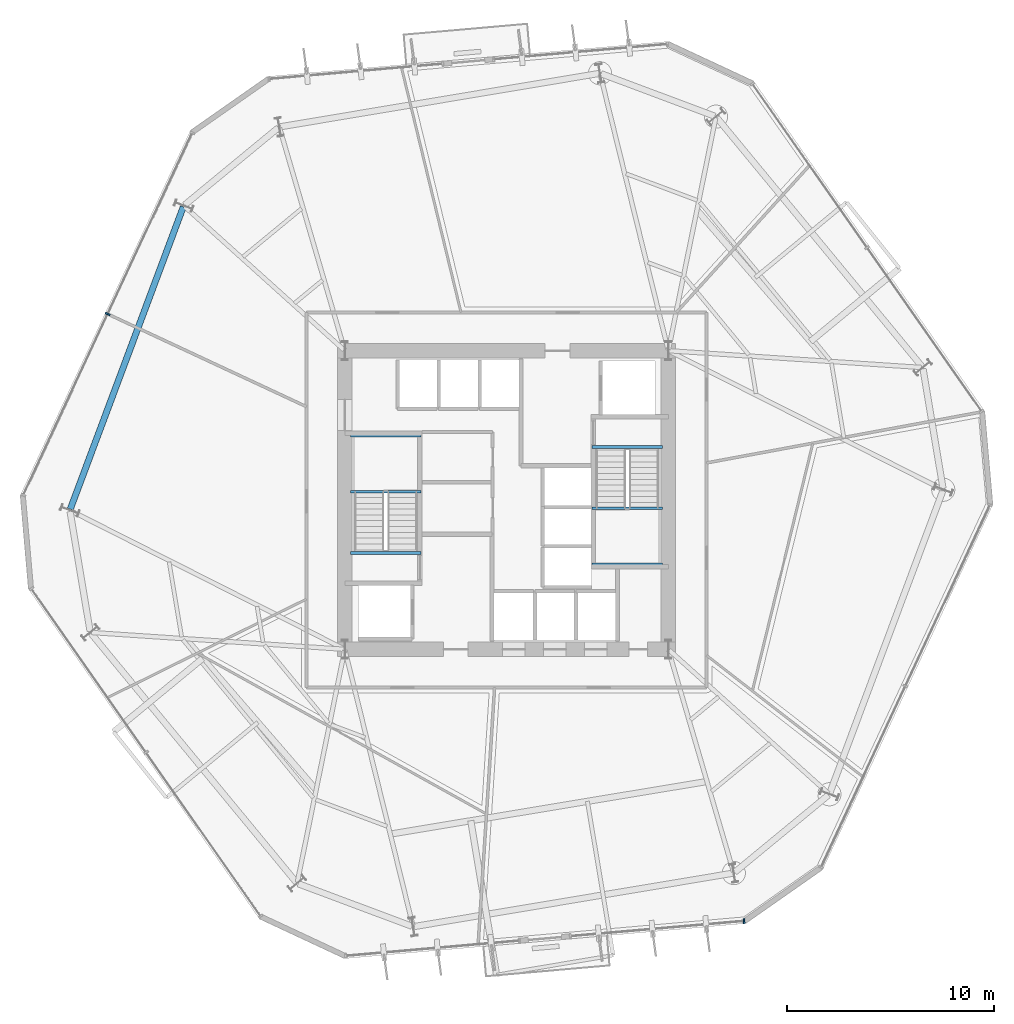
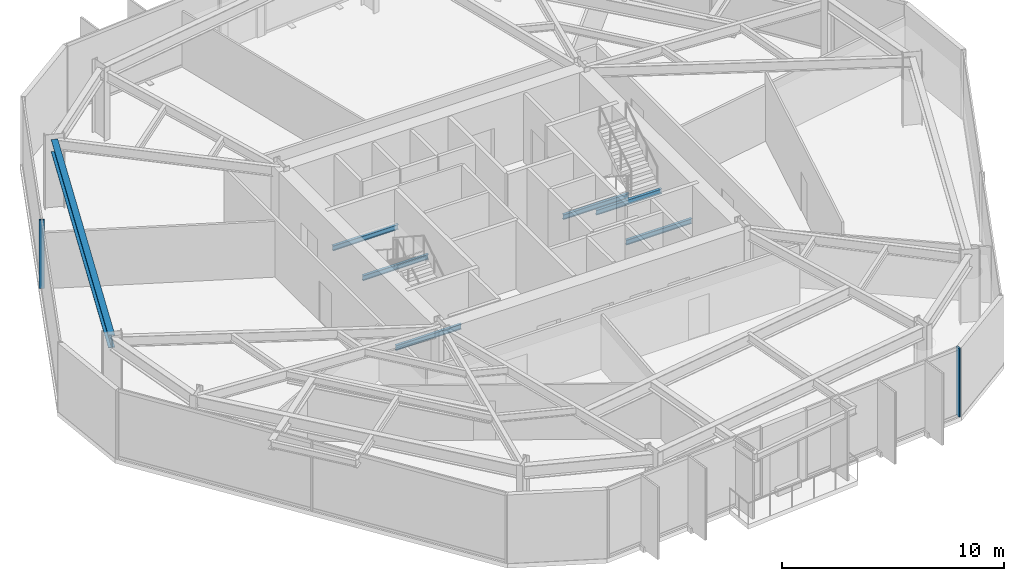
# One storey, part 3 of 11: 7 beams, 2 members, 2 elements without a shape of their own.
"""IFC4 building model written with IfcOpenShell, lengths in metres."""

from ifc_helpers import new_model, si_unit, direction, frame, origin, origin_2d, place, context, subcontext, project, spatial, rectangle, i_section, extrude, material, layer, layer_set, material_profile, profile_set, type_object, element, aggregate, save


model = new_model("IFC4")

# Units and contexts
model_context = context("Model", 3, precision=1e-05, world=origin(), true_north=direction((0.0, 1.0)))
body_context = subcontext(model_context, "Body", "Model", "MODEL_VIEW")
ifc_project = project(units=[si_unit("LENGTHUNIT", "METRE"), si_unit("AREAUNIT", "SQUARE_METRE"), si_unit("VOLUMEUNIT", "CUBIC_METRE"), si_unit("PLANEANGLEUNIT", "RADIAN"), si_unit("MASSUNIT", "GRAM", prefix="KILO")], contexts=[model_context])

# Site, building, storey
site_placement = place(None, origin())
site = spatial("IfcSite", under=ifc_project, at=site_placement, CompositionType="ELEMENT")
building_placement = place(site_placement, origin())
building = spatial("IfcBuilding", under=site, at=building_placement, Name="Kranzbogen Civic Tower", CompositionType="ELEMENT")
storey_placement = place(building_placement, frame((0.0, 0.0, 40.0)))
storey = spatial("IfcBuildingStorey", under=building, at=storey_placement, Name="L09", CompositionType="ELEMENT", Elevation=40.0)

# Curtain wall, member
ifc_material_1 = material(Name="Pale Anodised Aluminium", Category="aluminium")
ifc_layer = layer(ifc_material_1, 0.219970703125, Name="Pale Anodised Aluminium")
ifc_layer_set = layer_set([ifc_layer], Name="Pale Anodised Aluminium")
curtain_wall_type = type_object("IfcCurtainWallType", Name="Zone 1 Stick Curtain Wall System CW-02", PredefinedType="USERDEFINED", material=ifc_layer_set)
curtain_wall_1_placement = place(storey_placement, origin())
curtain_wall_1 = element("IfcCurtainWall", 1, at=curtain_wall_1_placement, inside=storey, type_object=curtain_wall_type, Name="L09 curtain wall CW-L09-F3", ObjectType="STICK CURTAIN WALL", PredefinedType="USERDEFINED")
ifc_material_profile_1 = material_profile(ifc_material_1, rectangle(XDim=0.080078125, YDim=0.239990234375, at=origin_2d()), Name="ALU-M 80x240")
ifc_profile_set_1 = profile_set([ifc_material_profile_1], Name="Pale Anodised Aluminium")
member_type = type_object("IfcMemberType", Name="Curtain Wall Mullion ALU-M 80x240", PredefinedType="MULLION", material=ifc_profile_set_1)
member_1_placement = place(storey_placement, frame((5.76611328125, 33.969482421875, 0.0), z_axis=(0.0, 0.0, 1.0), x_axis=(-0.422622213878, -0.906305944114, 0.0)))
member_1 = element("IfcMember", 2, at=member_1_placement, type_object=member_type, Name="CW-02 mullion 2", PredefinedType="MULLION", context=body_context, shape_type="SweptSolid", body=[
    extrude(rectangle(XDim=0.080078125, YDim=0.239990234375, at=origin_2d()), origin(), (0.0, 0.0, 1.0), 3.760009765625),
])
aggregate(curtain_wall_1, [member_1])

curtain_wall_2_placement = place(storey_placement, origin())
curtain_wall_2 = element("IfcCurtainWall", 3, at=curtain_wall_2_placement, inside=storey, type_object=curtain_wall_type, Name="L09 curtain wall CW-L09-F5-S2", ObjectType="STICK CURTAIN WALL", PredefinedType="USERDEFINED")
member_2_placement = place(storey_placement, frame((36.453125, 4.698486328125, 0.0), z_axis=(0.0, 0.0, 1.0), x_axis=(0.996197048613, 0.087128871992, 0.0)))
member_2 = element("IfcMember", 4, at=member_2_placement, type_object=member_type, Name="CW-02 mullion 2", PredefinedType="MULLION", context=body_context, shape_type="SweptSolid", body=[
    extrude(rectangle(XDim=0.080078125, YDim=0.239990234375, at=origin_2d()), origin(), (0.0, 0.0, 1.0), 3.760009765625),
])
aggregate(curtain_wall_2, [member_2])

# Beams
ifc_material_2 = material(Name="Steel S355", Category="steel")
ifc_material_profile_2 = material_profile(ifc_material_2, i_section(OverallWidth=0.300048828125, OverallDepth=0.699951171875, WebThickness=0.01708984375, FlangeThickness=0.031982421875, at=origin_2d()), Name="HEB 700")
ifc_profile_set_2 = profile_set([ifc_material_profile_2], Name="Steel S355")
beam_type_1 = type_object("IfcBeamType", Name="Perimeter Tube Spandrel Beam HEB 700", PredefinedType="SPANDREL", material=ifc_profile_set_2)
beam_placement = place(storey_placement, frame((9.412109375, 39.133056640625, 3.409912109375), z_axis=(-0.350172267932, -0.936685316833, 0.0), x_axis=(0.936685316833, -0.350172267932, 0.0)))
element("IfcBeam", 5, at=beam_placement, inside=storey, type_object=beam_type_1, Name="L09 perimeter spandrel beam 12", PredefinedType="SPANDREL", context=body_context, shape_type="SweptSolid", body=[
    extrude(i_section(OverallWidth=0.300048828125, OverallDepth=0.699951171875, WebThickness=0.01708984375, FlangeThickness=0.031982421875, at=origin_2d()), origin(), (0.0, 0.0, 1.0), 15.55810546875),
])
ifc_material_profile_3 = material_profile(ifc_material_2, i_section(OverallWidth=0.135009765625, OverallDepth=0.27001953125, WebThickness=0.006591796875, FlangeThickness=0.01025390625, at=origin_2d()), Name="IPE 270")
ifc_profile_set_3 = profile_set([ifc_material_profile_3], Name="Steel S355")
beam_type_2 = type_object("IfcBeamType", Name="Stair Landing Support Beam IPE 270", PredefinedType="JOIST", material=ifc_profile_set_3)
for number, where, z_axis, x_axis, name in (
    (6, (20.8798828125, 22.43994140625, -0.375), (-1.0, 0.0, 0.0), (0.0, -1.0, 0.0), "L09 ST-T1 stair floor header beam"),
    (7, (20.8798828125, 25.39990234375, 1.6650390625), (-1.0, 0.0, 0.0), (0.0, -1.0, 0.0), "L09 ST-T1 landing support beam 1.1"),
    (8, (20.8798828125, 28.10009765625, 1.6650390625), (-1.0, 0.0, 0.0), (0.0, -1.0, 0.0), "L09 ST-T1 landing support beam 1.2"),
    (9, (29.1201171875, 27.56005859375, -0.375), (1.0, 0.0, 0.0), (0.0, 1.0, 0.0), "L09 ST-T2 stair floor header beam"),
    (10, (29.1201171875, 24.60009765625, 1.6650390625), (1.0, 0.0, 0.0), (0.0, 1.0, 0.0), "L09 ST-T2 landing support beam 1.1"),
    (11, (29.1201171875, 21.89990234375, 1.6650390625), (1.0, 0.0, 0.0), (0.0, 1.0, 0.0), "L09 ST-T2 landing support beam 1.2"),
):
    element("IfcBeam", number, at=place(storey_placement, frame(where, z_axis=z_axis, x_axis=x_axis)), inside=storey, type_object=beam_type_2, Name=name, PredefinedType="JOIST", context=body_context, shape_type="SweptSolid", body=[
        extrude(i_section(OverallWidth=0.135009765625, OverallDepth=0.27001953125, WebThickness=0.006591796875, FlangeThickness=0.01025390625, at=origin_2d()), origin(), (0.0, 0.0, 1.0), 3.409912109375),
    ])

save(model, "model.ifc")
